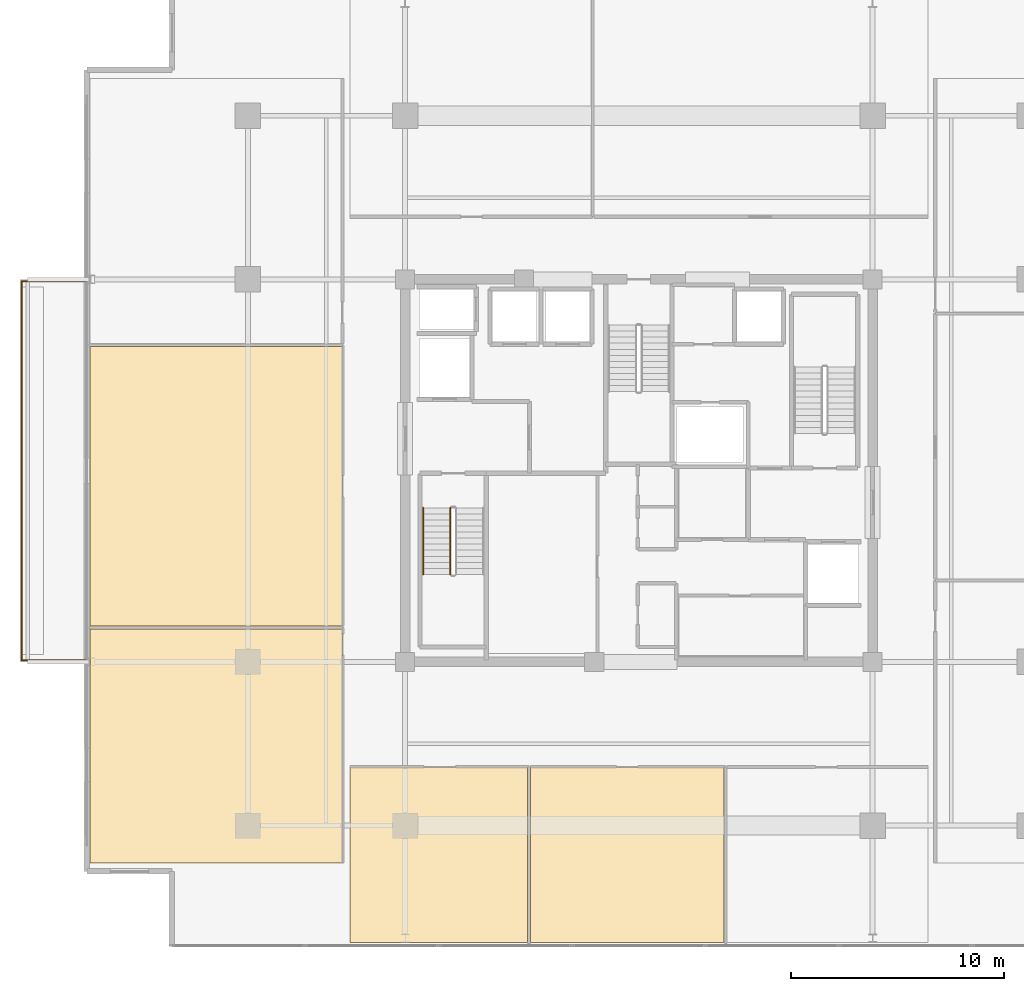
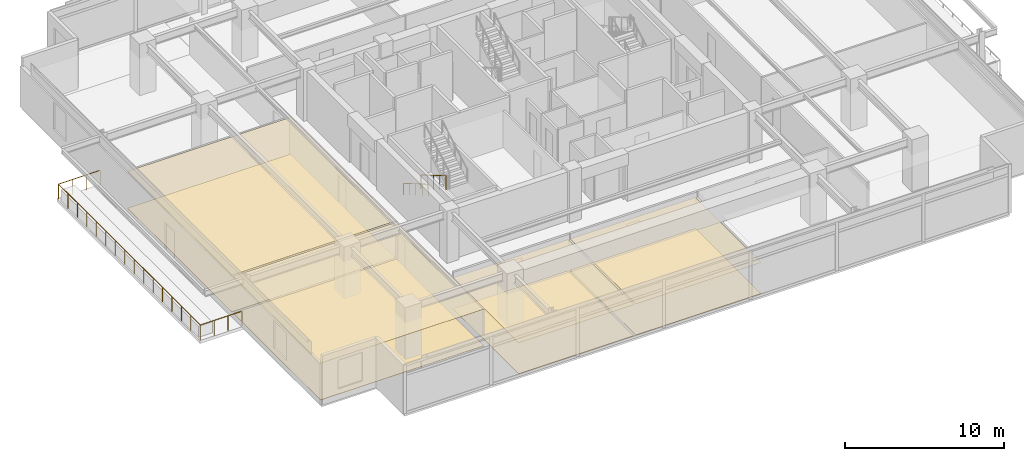
# One storey, part 18 of 21: 8 coverings, 3 railings.
"""IFC4 building model written with IfcOpenShell, lengths in metres."""

from ifc_helpers import new_model, si_unit, direction, frame, origin, origin_2d, place, context, subcontext, project, spatial, polyline, circle, outline, extrude, material, layer, layer_set, type_object, element, save


model = new_model("IFC4")

# Units and contexts
model_context = context("Model", 3, precision=1e-05, world=origin(), true_north=direction((0.0, 1.0)))
body_context = subcontext(model_context, "Body", "Model", "MODEL_VIEW")
ifc_project = project(units=[si_unit("LENGTHUNIT", "METRE"), si_unit("AREAUNIT", "SQUARE_METRE"), si_unit("VOLUMEUNIT", "CUBIC_METRE"), si_unit("PLANEANGLEUNIT", "RADIAN"), si_unit("MASSUNIT", "GRAM", prefix="KILO")], contexts=[model_context])

# Site, building, storey
site_placement = place(None, origin())
site = spatial("IfcSite", under=ifc_project, at=site_placement, CompositionType="ELEMENT")
building_placement = place(site_placement, origin())
building = spatial("IfcBuilding", under=site, at=building_placement, Name="Kovane Verandah Tower", CompositionType="ELEMENT")
storey_placement = place(building_placement, frame((0.0, 0.0, 275.199951171875)))
storey = spatial("IfcBuildingStorey", under=building, at=storey_placement, Name="L64", CompositionType="ELEMENT", Elevation=275.199951171875)

# Coverings
ifc_material_1 = material(Name="Perforated Acoustic Mineral-Fibre Ceiling Tile", Category="gypsum")
ifc_layer_1 = layer(ifc_material_1, 0.02490234375)
ifc_layer_set_1 = layer_set([ifc_layer_1], Name="Perforated Acoustic Mineral-Fibre Ceiling Tile")
covering_type_1 = type_object("IfcCoveringType", Name="CV-CEIL-25", PredefinedType="CEILING", material=ifc_layer_set_1)
covering_1_placement = place(storey_placement, frame((0.0, 0.0, 2.39013671875)))
element("IfcCovering", 1, at=covering_1_placement, inside=storey, type_object=covering_type_1, Name="L64 Client Boardroom S1 Acoustic Ceiling", PredefinedType="CEILING", context=body_context, shape_type="SweptSolid", body=[
    extrude(outline(polyline([(26.39990234375, 5.289794921875), (34.761962890625, 5.289794921875), (34.761962890625, 13.550048828125), (26.39990234375, 13.550048828125), (26.39990234375, 5.289794921875)])), origin(), (0.0, 0.0, 1.0), 0.02490234375),
])
covering_2_placement = place(storey_placement, frame((0.0, 0.0, 2.39013671875)))
element("IfcCovering", 2, at=covering_2_placement, inside=storey, type_object=covering_type_1, Name="L64 Meeting Room S2 Acoustic Ceiling", PredefinedType="CEILING", context=body_context, shape_type="SweptSolid", body=[
    extrude(outline(polyline([(34.902099609375, 5.289794921875), (44.010009765625, 5.289794921875), (44.010009765625, 13.550048828125), (34.902099609375, 13.550048828125), (34.902099609375, 5.289794921875)])), origin(), (0.0, 0.0, 1.0), 0.02490234375),
])
covering_3_placement = place(storey_placement, frame((0.0, 0.0, 2.824951171875)))
element("IfcCovering", 3, at=covering_3_placement, inside=storey, type_object=covering_type_1, Name="L64 Breakout Pantry W1 Acoustic Ceiling", PredefinedType="CEILING", context=body_context, shape_type="SweptSolid", body=[
    extrude(outline(polyline([(14.1806640625, 9.039794921875), (26.050048828125, 9.039794921875), (26.050048828125, 20.0458984375), (14.1806640625, 20.0458984375), (14.1806640625, 9.039794921875)])), origin(), (0.0, 0.0, 1.0), 0.025146484375),
])
covering_4_placement = place(storey_placement, frame((0.0, 0.0, 2.824951171875)))
element("IfcCovering", 4, at=covering_4_placement, inside=storey, type_object=covering_type_1, Name="L64 Collaboration Hub W2 Acoustic Ceiling", PredefinedType="CEILING", context=body_context, shape_type="SweptSolid", body=[
    extrude(outline(polyline([(14.1806640625, 20.18603515625), (26.050048828125, 20.18603515625), (26.050048828125, 33.337158203125), (14.1806640625, 33.337158203125), (14.1806640625, 20.18603515625)])), origin(), (0.0, 0.0, 1.0), 0.025146484375),
])
ifc_material_2 = material(Name="Polished Terrazzo and Raised-Access Carpet Tile Finish", Category="concrete")
ifc_layer_2 = layer(ifc_material_2, 0.030029296875)
ifc_layer_set_2 = layer_set([ifc_layer_2], Name="Polished Terrazzo and Raised-Access Carpet Tile Finish")
covering_type_2 = type_object("IfcCoveringType", Name="CV-FLOR-30", PredefinedType="FLOORING", material=ifc_layer_set_2)
covering_5_placement = place(storey_placement, origin())
element("IfcCovering", 5, at=covering_5_placement, inside=storey, type_object=covering_type_2, Name="L64 Client Boardroom S1 Floor Finish", PredefinedType="FLOORING", context=body_context, shape_type="SweptSolid", body=[
    extrude(outline(polyline([(26.39990234375, 5.289794921875), (34.761962890625, 5.289794921875), (34.761962890625, 13.550048828125), (26.39990234375, 13.550048828125), (26.39990234375, 5.289794921875)])), origin(), (0.0, 0.0, 1.0), 0.030029296875),
])
covering_6_placement = place(storey_placement, origin())
element("IfcCovering", 6, at=covering_6_placement, inside=storey, type_object=covering_type_2, Name="L64 Meeting Room S2 Floor Finish", PredefinedType="FLOORING", context=body_context, shape_type="SweptSolid", body=[
    extrude(outline(polyline([(34.902099609375, 5.289794921875), (44.010009765625, 5.289794921875), (44.010009765625, 13.550048828125), (34.902099609375, 13.550048828125), (34.902099609375, 5.289794921875)])), origin(), (0.0, 0.0, 1.0), 0.030029296875),
])
covering_7_placement = place(storey_placement, origin())
element("IfcCovering", 7, at=covering_7_placement, inside=storey, type_object=covering_type_2, Name="L64 Breakout Pantry W1 Floor Finish", PredefinedType="FLOORING", context=body_context, shape_type="SweptSolid", body=[
    extrude(outline(polyline([(14.1806640625, 9.039794921875), (26.050048828125, 9.039794921875), (26.050048828125, 20.0458984375), (14.1806640625, 20.0458984375), (14.1806640625, 9.039794921875)])), origin(), (0.0, 0.0, 1.0), 0.030029296875),
])
covering_8_placement = place(storey_placement, origin())
element("IfcCovering", 8, at=covering_8_placement, inside=storey, type_object=covering_type_2, Name="L64 Collaboration Hub W2 Floor Finish", PredefinedType="FLOORING", context=body_context, shape_type="SweptSolid", body=[
    extrude(outline(polyline([(14.1806640625, 20.18603515625), (26.050048828125, 20.18603515625), (26.050048828125, 33.337158203125), (14.1806640625, 33.337158203125), (14.1806640625, 20.18603515625)])), origin(), (0.0, 0.0, 1.0), 0.030029296875),
])

# Railings
ifc_material_3 = material(Name="Laminated Glass and Pale-Champagne Stainless Balustrade", Category="glass")
railing_type_1 = type_object("IfcRailingType", Name="RL-BAL-1150", PredefinedType="BALUSTRADE", material=ifc_material_3)
railing_1_placement = place(storey_placement, frame((13.980712890625, 18.580078125, 0.0)))
element("IfcRailing", 9, at=railing_1_placement, inside=storey, type_object=railing_type_1, Name="L64 W Verandah Glass Balustrade", PredefinedType="BALUSTRADE", context=body_context, shape_type="SweptSolid", body=[
    extrude(circle(Radius=0.02392578125, at=origin_2d()), frame((0.0, 0.0, 1.1259765625), z_axis=(-1.0, 0.0, 0.0), x_axis=(0.0, -1.0, 0.0)), (0.0, 0.0, 1.0), 3.02001953125),
    extrude(circle(Radius=0.02392578125, at=origin_2d()), frame((-3.02001953125, 0.0, 1.1259765625), z_axis=(0.0, 1.0, 0.0), x_axis=(-1.0, 0.0, 0.0)), (0.0, 0.0, 1.0), 17.83984375),
    extrude(circle(Radius=0.02392578125, at=origin_2d()), frame((-3.02001953125, 17.83984375, 1.1259765625), z_axis=(1.0, 0.0, 0.0), x_axis=(0.0, 1.0, 0.0)), (0.0, 0.0, 1.0), 3.02001953125),
    extrude(circle(Radius=0.02099609375, at=origin_2d()), origin(), (0.0, 0.0, 1.0), 1.101806640625),
    extrude(circle(Radius=0.02099609375, at=origin_2d()), frame((-1.006591796875, 0.0, 0.0)), (0.0, 0.0, 1.0), 1.101806640625),
    extrude(circle(Radius=0.02099609375, at=origin_2d()), frame((-2.013427734375, 0.0, 0.0)), (0.0, 0.0, 1.0), 1.101806640625),
    extrude(circle(Radius=0.02099609375, at=origin_2d()), frame((-3.02001953125, 0.0, 0.0)), (0.0, 0.0, 1.0), 1.101806640625),
    extrude(circle(Radius=0.02099609375, at=origin_2d()), frame((-3.02001953125, 1.189208984375, 0.0)), (0.0, 0.0, 1.0), 1.101806640625),
    extrude(circle(Radius=0.02099609375, at=origin_2d()), frame((-3.02001953125, 2.378662109375, 0.0)), (0.0, 0.0, 1.0), 1.101806640625),
    extrude(circle(Radius=0.02099609375, at=origin_2d()), frame((-3.02001953125, 3.56787109375, 0.0)), (0.0, 0.0, 1.0), 1.101806640625),
    extrude(circle(Radius=0.02099609375, at=origin_2d()), frame((-3.02001953125, 4.75732421875, 0.0)), (0.0, 0.0, 1.0), 1.101806640625),
    extrude(circle(Radius=0.02099609375, at=origin_2d()), frame((-3.02001953125, 5.946533203125, 0.0)), (0.0, 0.0, 1.0), 1.101806640625),
    extrude(circle(Radius=0.02099609375, at=origin_2d()), frame((-3.02001953125, 7.135986328125, 0.0)), (0.0, 0.0, 1.0), 1.101806640625),
    extrude(circle(Radius=0.02099609375, at=origin_2d()), frame((-3.02001953125, 8.3251953125, 0.0)), (0.0, 0.0, 1.0), 1.101806640625),
    extrude(circle(Radius=0.02099609375, at=origin_2d()), frame((-3.02001953125, 9.5146484375, 0.0)), (0.0, 0.0, 1.0), 1.101806640625),
    extrude(circle(Radius=0.02099609375, at=origin_2d()), frame((-3.02001953125, 10.703857421875, 0.0)), (0.0, 0.0, 1.0), 1.101806640625),
    extrude(circle(Radius=0.02099609375, at=origin_2d()), frame((-3.02001953125, 11.893310546875, 0.0)), (0.0, 0.0, 1.0), 1.101806640625),
    extrude(circle(Radius=0.02099609375, at=origin_2d()), frame((-3.02001953125, 13.08251953125, 0.0)), (0.0, 0.0, 1.0), 1.101806640625),
    extrude(circle(Radius=0.02099609375, at=origin_2d()), frame((-3.02001953125, 14.27197265625, 0.0)), (0.0, 0.0, 1.0), 1.101806640625),
    extrude(circle(Radius=0.02099609375, at=origin_2d()), frame((-3.02001953125, 15.461181640625, 0.0)), (0.0, 0.0, 1.0), 1.101806640625),
    extrude(circle(Radius=0.02099609375, at=origin_2d()), frame((-3.02001953125, 16.650634765625, 0.0)), (0.0, 0.0, 1.0), 1.101806640625),
    extrude(circle(Radius=0.02099609375, at=origin_2d()), frame((-3.02001953125, 17.83984375, 0.0)), (0.0, 0.0, 1.0), 1.101806640625),
    extrude(circle(Radius=0.02099609375, at=origin_2d()), frame((-2.013427734375, 17.83984375, 0.0)), (0.0, 0.0, 1.0), 1.101806640625),
    extrude(circle(Radius=0.02099609375, at=origin_2d()), frame((-1.006591796875, 17.83984375, 0.0)), (0.0, 0.0, 1.0), 1.101806640625),
    extrude(circle(Radius=0.02099609375, at=origin_2d()), frame((0.0, 17.83984375, 0.0)), (0.0, 0.0, 1.0), 1.101806640625),
])
ifc_material_4 = material(Name="Brushed Stainless Steel Handrail", Category="steel")
railing_type_2 = type_object("IfcRailingType", Name="RL-HAND-920", PredefinedType="HANDRAIL", material=ifc_material_4)
railing_2_placement = place(storey_placement, frame((29.85009765625, 25.75, 0.166748046875)))
element("IfcRailing", 10, at=railing_2_placement, inside=storey, type_object=railing_type_2, Name="L64 ST-01 stair handrail 1", PredefinedType="HANDRAIL", context=body_context, shape_type="SweptSolid", body=[
    extrude(circle(Radius=0.02392578125, at=origin_2d()), frame((0.0, 0.0, 0.8759765625), z_axis=(0.0, -0.863239559939, 0.504794475164), x_axis=(1.0, 0.0, 0.0)), (0.0, 0.0, 1.0), 3.631591796875),
    extrude(circle(Radius=0.02099609375, at=origin_2d()), origin(), (0.0, 0.0, 1.0), 0.851806640625),
    extrude(circle(Radius=0.02099609375, at=origin_2d()), frame((0.0, -0.78369140625, 0.458251953125)), (0.0, 0.0, 1.0), 0.851806640625),
    extrude(circle(Radius=0.02099609375, at=origin_2d()), frame((0.0, -1.5673828125, 0.91650390625)), (0.0, 0.0, 1.0), 0.851806640625),
    extrude(circle(Radius=0.02099609375, at=origin_2d()), frame((0.0, -2.351318359375, 1.375)), (0.0, 0.0, 1.0), 0.851806640625),
    extrude(circle(Radius=0.02099609375, at=origin_2d()), frame((0.0, -3.135009765625, 1.833251953125)), (0.0, 0.0, 1.0), 0.851806640625),
])
ifc_material_5 = material(Name="Painted Steel Stairwell Guardrail", Category="steel")
railing_type_3 = type_object("IfcRailingType", Name="RL-STGUARD-1120", PredefinedType="GUARDRAIL", material=ifc_material_5)
railing_3_placement = place(storey_placement, frame((31.1298828125, 25.75, 0.166748046875)))
element("IfcRailing", 11, at=railing_3_placement, inside=storey, type_object=railing_type_3, Name="L64 ST-01 stair guard 1", PredefinedType="GUARDRAIL", context=body_context, shape_type="SweptSolid", body=[
    extrude(circle(Radius=0.02392578125, at=origin_2d()), frame((0.0, 0.0, 1.076171875), z_axis=(0.0, -0.863239559939, 0.504794475164), x_axis=(1.0, 0.0, 0.0)), (0.0, 0.0, 1.0), 3.631591796875),
    extrude(circle(Radius=0.02099609375, at=origin_2d()), origin(), (0.0, 0.0, 1.0), 1.052001953125),
    extrude(circle(Radius=0.02099609375, at=origin_2d()), frame((0.0, -0.78369140625, 0.458251953125)), (0.0, 0.0, 1.0), 1.052001953125),
    extrude(circle(Radius=0.02099609375, at=origin_2d()), frame((0.0, -1.5673828125, 0.91650390625)), (0.0, 0.0, 1.0), 1.052001953125),
    extrude(circle(Radius=0.02099609375, at=origin_2d()), frame((0.0, -2.351318359375, 1.375)), (0.0, 0.0, 1.0), 1.052001953125),
    extrude(circle(Radius=0.02099609375, at=origin_2d()), frame((0.0, -3.135009765625, 1.833251953125)), (0.0, 0.0, 1.0), 1.052001953125),
])

save(model, "model.ifc")
